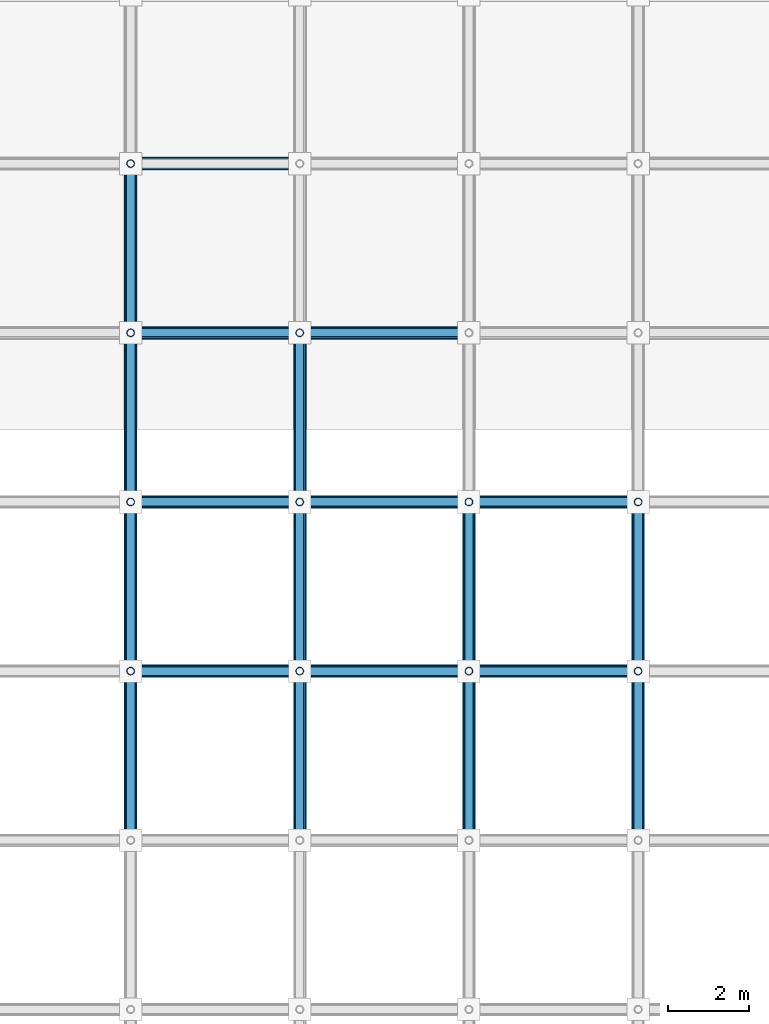
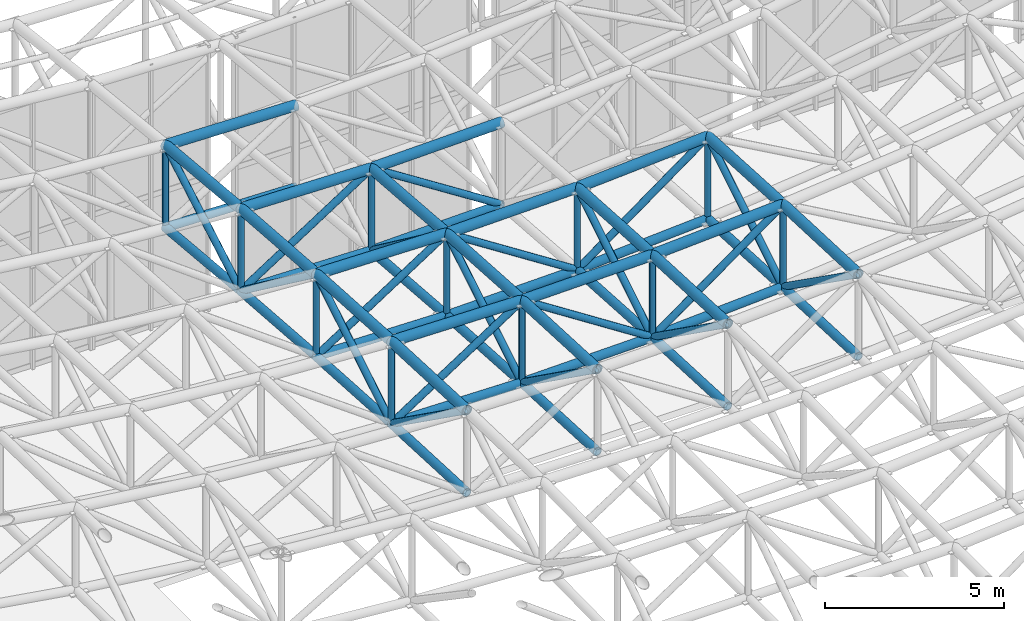
# One storey, part 34 of 93: 70 members.
"""IFC4 building model written with IfcOpenShell, lengths in metres."""

from ifc_helpers import new_model, si_unit, direction, frame, origin, origin_2d, place, context, subcontext, project, spatial, hollow_circle, extrude, material, material_profile, profile_set, type_object, element, save


model = new_model("IFC4")

# Units and contexts
model_context = context("Model", 3, precision=1e-05, world=origin(), true_north=direction((0.0, 1.0)))
body_context = subcontext(model_context, "Body", "Model", "MODEL_VIEW")
ifc_project = project(units=[si_unit("LENGTHUNIT", "METRE"), si_unit("AREAUNIT", "SQUARE_METRE"), si_unit("VOLUMEUNIT", "CUBIC_METRE"), si_unit("PLANEANGLEUNIT", "RADIAN"), si_unit("MASSUNIT", "GRAM", prefix="KILO")], contexts=[model_context])

# Site, building, storey
site_placement = place(None, origin())
site = spatial("IfcSite", under=ifc_project, at=site_placement, CompositionType="ELEMENT")
building_placement = place(site_placement, origin())
building = spatial("IfcBuilding", under=site, at=building_placement, Name="Cumbredor Promenade Congress Hotel", CompositionType="ELEMENT")
storey_placement = place(building_placement, frame((0.0, 0.0, 21.840087890625)))
storey = spatial("IfcBuildingStorey", under=building, at=storey_placement, Name="L06", CompositionType="ELEMENT", Elevation=21.840087890625)

# Members
ifc_material = material(Name="Steel ASTM A500 Grade C", Category="steel")
ifc_material_profile_1 = material_profile(ifc_material, hollow_circle(Radius=0.136474609375, WallThickness=0.01611328125, at=origin_2d()), Name="CHS 273.0x16")
ifc_profile_set_1 = profile_set([ifc_material_profile_1], Name="Steel ASTM A500 Grade C")
member_type_1 = type_object("IfcMemberType", Name="Plenary Roof Space Frame Bottom Chord", PredefinedType="CHORD", material=ifc_profile_set_1)
member_1_placement = place(storey_placement, frame((29.39990234375, 50.39990234375, 7.612548828125), z_axis=(0.999818306058, 0.0, -0.019061869588), x_axis=(0.0, 1.0, 0.0)))
element("IfcMember", 1, at=member_1_placement, inside=storey, type_object=member_type_1, Name="Plenary Congress Hall X Bottom Chord 9.13", PredefinedType="CHORD", context=body_context, shape_type="SweptSolid", body=[
    extrude(hollow_circle(Radius=0.136474609375, WallThickness=0.01611328125, at=origin_2d()), origin(), (0.0, 0.0, 1.0), 4.200927734375),
])
member_2_placement = place(storey_placement, frame((33.60009765625, 50.39990234375, 7.532470703125), z_axis=(0.999818284939, 0.0, 0.01906297724), x_axis=(0.0, 1.0, 0.0)))
element("IfcMember", 2, at=member_2_placement, inside=storey, type_object=member_type_1, Name="Plenary Congress Hall X Bottom Chord 10.13", PredefinedType="CHORD", context=body_context, shape_type="SweptSolid", body=[
    extrude(hollow_circle(Radius=0.136474609375, WallThickness=0.01611328125, at=origin_2d()), origin(), (0.0, 0.0, 1.0), 4.20068359375),
])
member_3_placement = place(storey_placement, frame((37.800048828125, 50.39990234375, 7.612548828125), z_axis=(0.998351536645, 0.0, 0.057395202566), x_axis=(0.0, 1.0, 0.0)))
element("IfcMember", 3, at=member_3_placement, inside=storey, type_object=member_type_1, Name="Plenary Congress Hall X Bottom Chord 11.13", PredefinedType="CHORD", context=body_context, shape_type="SweptSolid", body=[
    extrude(hollow_circle(Radius=0.136474609375, WallThickness=0.01611328125, at=origin_2d()), origin(), (0.0, 0.0, 1.0), 4.206787109375),
])
member_4_placement = place(storey_placement, frame((29.39990234375, 54.60009765625, 7.35498046875), z_axis=(0.999777474695, 0.0, -0.021095049018), x_axis=(0.0, 1.0, 0.0)))
element("IfcMember", 4, at=member_4_placement, inside=storey, type_object=member_type_1, Name="Plenary Congress Hall X Bottom Chord 9.14", PredefinedType="CHORD", context=body_context, shape_type="SweptSolid", body=[
    extrude(hollow_circle(Radius=0.136474609375, WallThickness=0.01611328125, at=origin_2d()), origin(), (0.0, 0.0, 1.0), 4.201171875),
])
member_5_placement = place(storey_placement, frame((33.60009765625, 54.60009765625, 7.266357421875), z_axis=(0.999777448832, 0.0, 0.021096274715), x_axis=(0.0, 1.0, 0.0)))
element("IfcMember", 5, at=member_5_placement, inside=storey, type_object=member_type_1, Name="Plenary Congress Hall X Bottom Chord 10.14", PredefinedType="CHORD", context=body_context, shape_type="SweptSolid", body=[
    extrude(hollow_circle(Radius=0.136474609375, WallThickness=0.01611328125, at=origin_2d()), origin(), (0.0, 0.0, 1.0), 4.200927734375),
])
member_6_placement = place(storey_placement, frame((37.800048828125, 54.60009765625, 7.35498046875), z_axis=(0.997998712994, 0.0, 0.063234238049), x_axis=(0.0, 1.0, 0.0)))
element("IfcMember", 6, at=member_6_placement, inside=storey, type_object=member_type_1, Name="Plenary Congress Hall X Bottom Chord 11.14", PredefinedType="CHORD", context=body_context, shape_type="SweptSolid", body=[
    extrude(hollow_circle(Radius=0.136474609375, WallThickness=0.01611328125, at=origin_2d()), origin(), (0.0, 0.0, 1.0), 4.208251953125),
])
member_7_placement = place(storey_placement, frame((29.39990234375, 58.800048828125, 7.03271484375), z_axis=(0.999723024905, 0.0, -0.023534516687), x_axis=(0.0, 1.0, 0.0)))
element("IfcMember", 7, at=member_7_placement, inside=storey, type_object=member_type_1, Name="Plenary Congress Hall X Bottom Chord 9.15", PredefinedType="CHORD", context=body_context, shape_type="SweptSolid", body=[
    extrude(hollow_circle(Radius=0.136474609375, WallThickness=0.01611328125, at=origin_2d()), origin(), (0.0, 0.0, 1.0), 4.201416015625),
])
member_8_placement = place(storey_placement, frame((33.60009765625, 58.800048828125, 6.933837890625), z_axis=(0.999722992716, 0.0, 0.023535883977), x_axis=(0.0, 1.0, 0.0)))
element("IfcMember", 8, at=member_8_placement, inside=storey, type_object=member_type_1, Name="Plenary Congress Hall X Bottom Chord 10.15", PredefinedType="CHORD", context=body_context, shape_type="SweptSolid", body=[
    extrude(hollow_circle(Radius=0.136474609375, WallThickness=0.01611328125, at=origin_2d()), origin(), (0.0, 0.0, 1.0), 4.201171875),
])
member_9_placement = place(storey_placement, frame((29.39990234375, 63.0, 6.64599609375), z_axis=(0.999650452522, 0.0, -0.026438093228), x_axis=(0.0, 1.0, 0.0)))
element("IfcMember", 9, at=member_9_placement, inside=storey, type_object=member_type_1, Name="Plenary Congress Hall X Bottom Chord 9.16", PredefinedType="CHORD", context=body_context, shape_type="SweptSolid", body=[
    extrude(hollow_circle(Radius=0.136474609375, WallThickness=0.01611328125, at=origin_2d()), origin(), (0.0, 0.0, 1.0), 4.20166015625),
])
member_10_placement = place(storey_placement, frame((29.39990234375, 46.199951171875, 7.80615234375), z_axis=(0.0, 0.998939241428, -0.046047713681), x_axis=(-1.0, 0.0, 0.0)))
element("IfcMember", 10, at=member_10_placement, inside=storey, type_object=member_type_1, Name="Plenary Congress Hall Y Bottom Chord 9.12", PredefinedType="CHORD", context=body_context, shape_type="SweptSolid", body=[
    extrude(hollow_circle(Radius=0.136474609375, WallThickness=0.01611328125, at=origin_2d()), origin(), (0.0, 0.0, 1.0), 4.204345703125),
])
member_11_placement = place(storey_placement, frame((29.39990234375, 50.39990234375, 7.612548828125), z_axis=(0.0, 0.998125034472, -0.061207969738), x_axis=(-1.0, 0.0, 0.0)))
element("IfcMember", 11, at=member_11_placement, inside=storey, type_object=member_type_1, Name="Plenary Congress Hall Y Bottom Chord 9.13", PredefinedType="CHORD", context=body_context, shape_type="SweptSolid", body=[
    extrude(hollow_circle(Radius=0.136474609375, WallThickness=0.01611328125, at=origin_2d()), origin(), (0.0, 0.0, 1.0), 4.2080078125),
])
member_12_placement = place(storey_placement, frame((29.39990234375, 54.60009765625, 7.35498046875), z_axis=(0.0, 0.997069127511, -0.076505914568), x_axis=(-1.0, 0.0, 0.0)))
element("IfcMember", 12, at=member_12_placement, inside=storey, type_object=member_type_1, Name="Plenary Congress Hall Y Bottom Chord 9.14", PredefinedType="CHORD", context=body_context, shape_type="SweptSolid", body=[
    extrude(hollow_circle(Radius=0.136474609375, WallThickness=0.01611328125, at=origin_2d()), origin(), (0.0, 0.0, 1.0), 4.21240234375),
])
member_13_placement = place(storey_placement, frame((29.39990234375, 58.800048828125, 7.03271484375), z_axis=(0.0, 0.99578768212, -0.091689105881), x_axis=(-1.0, 0.0, 0.0)))
element("IfcMember", 13, at=member_13_placement, inside=storey, type_object=member_type_1, Name="Plenary Congress Hall Y Bottom Chord 9.15", PredefinedType="CHORD", context=body_context, shape_type="SweptSolid", body=[
    extrude(hollow_circle(Radius=0.136474609375, WallThickness=0.01611328125, at=origin_2d()), origin(), (0.0, 0.0, 1.0), 4.2177734375),
])
member_14_placement = place(storey_placement, frame((33.60009765625, 46.199951171875, 7.73193359375), z_axis=(0.0, 0.998874172518, -0.047438249081), x_axis=(-1.0, 0.0, 0.0)))
element("IfcMember", 14, at=member_14_placement, inside=storey, type_object=member_type_1, Name="Plenary Congress Hall Y Bottom Chord 10.12", PredefinedType="CHORD", context=body_context, shape_type="SweptSolid", body=[
    extrude(hollow_circle(Radius=0.136474609375, WallThickness=0.01611328125, at=origin_2d()), origin(), (0.0, 0.0, 1.0), 4.20458984375),
])
member_15_placement = place(storey_placement, frame((33.60009765625, 50.39990234375, 7.532470703125), z_axis=(0.0, 0.997998944943, -0.063230577191), x_axis=(-1.0, 0.0, 0.0)))
element("IfcMember", 15, at=member_15_placement, inside=storey, type_object=member_type_1, Name="Plenary Congress Hall Y Bottom Chord 10.13", PredefinedType="CHORD", context=body_context, shape_type="SweptSolid", body=[
    extrude(hollow_circle(Radius=0.136474609375, WallThickness=0.01611328125, at=origin_2d()), origin(), (0.0, 0.0, 1.0), 4.20849609375),
])
member_16_placement = place(storey_placement, frame((33.60009765625, 54.60009765625, 7.266357421875), z_axis=(0.0, 0.996880535945, -0.078925262452), x_axis=(-1.0, 0.0, 0.0)))
element("IfcMember", 16, at=member_16_placement, inside=storey, type_object=member_type_1, Name="Plenary Congress Hall Y Bottom Chord 10.14", PredefinedType="CHORD", context=body_context, shape_type="SweptSolid", body=[
    extrude(hollow_circle(Radius=0.136474609375, WallThickness=0.01611328125, at=origin_2d()), origin(), (0.0, 0.0, 1.0), 4.213134765625),
])
member_17_placement = place(storey_placement, frame((37.800048828125, 46.199951171875, 7.80615234375), z_axis=(0.0, 0.998939241428, -0.046047713681), x_axis=(-1.0, 0.0, 0.0)))
element("IfcMember", 17, at=member_17_placement, inside=storey, type_object=member_type_1, Name="Plenary Congress Hall Y Bottom Chord 11.12", PredefinedType="CHORD", context=body_context, shape_type="SweptSolid", body=[
    extrude(hollow_circle(Radius=0.136474609375, WallThickness=0.01611328125, at=origin_2d()), origin(), (0.0, 0.0, 1.0), 4.204345703125),
])
member_18_placement = place(storey_placement, frame((37.800048828125, 50.39990234375, 7.612548828125), z_axis=(0.0, 0.998125034472, -0.061207969738), x_axis=(-1.0, 0.0, 0.0)))
element("IfcMember", 18, at=member_18_placement, inside=storey, type_object=member_type_1, Name="Plenary Congress Hall Y Bottom Chord 11.13", PredefinedType="CHORD", context=body_context, shape_type="SweptSolid", body=[
    extrude(hollow_circle(Radius=0.136474609375, WallThickness=0.01611328125, at=origin_2d()), origin(), (0.0, 0.0, 1.0), 4.2080078125),
])
member_19_placement = place(storey_placement, frame((42.0, 46.199951171875, 8.02880859375), z_axis=(0.0, 0.999134984522, -0.041584645057), x_axis=(-1.0, 0.0, 0.0)))
element("IfcMember", 19, at=member_19_placement, inside=storey, type_object=member_type_1, Name="Plenary Congress Hall Y Bottom Chord 12.12", PredefinedType="CHORD", context=body_context, shape_type="SweptSolid", body=[
    extrude(hollow_circle(Radius=0.136474609375, WallThickness=0.01611328125, at=origin_2d()), origin(), (0.0, 0.0, 1.0), 4.20361328125),
])
member_20_placement = place(storey_placement, frame((42.0, 50.39990234375, 7.85400390625), z_axis=(0.0, 0.998466062305, -0.055367160163), x_axis=(-1.0, 0.0, 0.0)))
element("IfcMember", 20, at=member_20_placement, inside=storey, type_object=member_type_1, Name="Plenary Congress Hall Y Bottom Chord 12.13", PredefinedType="CHORD", context=body_context, shape_type="SweptSolid", body=[
    extrude(hollow_circle(Radius=0.136474609375, WallThickness=0.01611328125, at=origin_2d()), origin(), (0.0, 0.0, 1.0), 4.20654296875),
])
ifc_material_profile_2 = material_profile(ifc_material, hollow_circle(Radius=0.161865234375, WallThickness=0.01611328125, at=origin_2d()), Name="CHS 323.9x16")
ifc_profile_set_2 = profile_set([ifc_material_profile_2], Name="Steel ASTM A500 Grade C")
member_type_2 = type_object("IfcMemberType", Name="Plenary Roof Space Frame Top Chord", PredefinedType="CHORD", material=ifc_profile_set_2)
member_21_placement = place(storey_placement, frame((29.39990234375, 50.39990234375, 10.41259765625), z_axis=(0.999818306058, 0.0, -0.019061869588), x_axis=(0.0, 1.0, 0.0)))
element("IfcMember", 21, at=member_21_placement, inside=storey, type_object=member_type_2, Name="Plenary Congress Hall X Top Chord 9.13", PredefinedType="CHORD", context=body_context, shape_type="SweptSolid", body=[
    extrude(hollow_circle(Radius=0.161865234375, WallThickness=0.01611328125, at=origin_2d()), origin(), (0.0, 0.0, 1.0), 4.200927734375),
])
member_22_placement = place(storey_placement, frame((33.60009765625, 50.39990234375, 10.33251953125), z_axis=(0.999818284939, 0.0, 0.01906297724), x_axis=(0.0, 1.0, 0.0)))
element("IfcMember", 22, at=member_22_placement, inside=storey, type_object=member_type_2, Name="Plenary Congress Hall X Top Chord 10.13", PredefinedType="CHORD", context=body_context, shape_type="SweptSolid", body=[
    extrude(hollow_circle(Radius=0.161865234375, WallThickness=0.01611328125, at=origin_2d()), origin(), (0.0, 0.0, 1.0), 4.20068359375),
])
member_23_placement = place(storey_placement, frame((37.800048828125, 50.39990234375, 10.41259765625), z_axis=(0.998351536645, 0.0, 0.057395202566), x_axis=(0.0, 1.0, 0.0)))
element("IfcMember", 23, at=member_23_placement, inside=storey, type_object=member_type_2, Name="Plenary Congress Hall X Top Chord 11.13", PredefinedType="CHORD", context=body_context, shape_type="SweptSolid", body=[
    extrude(hollow_circle(Radius=0.161865234375, WallThickness=0.01611328125, at=origin_2d()), origin(), (0.0, 0.0, 1.0), 4.206787109375),
])
member_24_placement = place(storey_placement, frame((29.39990234375, 54.60009765625, 10.155029296875), z_axis=(0.999777474695, 0.0, -0.021095049018), x_axis=(0.0, 1.0, 0.0)))
element("IfcMember", 24, at=member_24_placement, inside=storey, type_object=member_type_2, Name="Plenary Congress Hall X Top Chord 9.14", PredefinedType="CHORD", context=body_context, shape_type="SweptSolid", body=[
    extrude(hollow_circle(Radius=0.161865234375, WallThickness=0.01611328125, at=origin_2d()), origin(), (0.0, 0.0, 1.0), 4.201171875),
])
member_25_placement = place(storey_placement, frame((33.60009765625, 54.60009765625, 10.06640625), z_axis=(0.999777448832, 0.0, 0.021096274715), x_axis=(0.0, 1.0, 0.0)))
element("IfcMember", 25, at=member_25_placement, inside=storey, type_object=member_type_2, Name="Plenary Congress Hall X Top Chord 10.14", PredefinedType="CHORD", context=body_context, shape_type="SweptSolid", body=[
    extrude(hollow_circle(Radius=0.161865234375, WallThickness=0.01611328125, at=origin_2d()), origin(), (0.0, 0.0, 1.0), 4.200927734375),
])
member_26_placement = place(storey_placement, frame((37.800048828125, 54.60009765625, 10.155029296875), z_axis=(0.997998712994, 0.0, 0.063234238049), x_axis=(0.0, 1.0, 0.0)))
element("IfcMember", 26, at=member_26_placement, inside=storey, type_object=member_type_2, Name="Plenary Congress Hall X Top Chord 11.14", PredefinedType="CHORD", context=body_context, shape_type="SweptSolid", body=[
    extrude(hollow_circle(Radius=0.161865234375, WallThickness=0.01611328125, at=origin_2d()), origin(), (0.0, 0.0, 1.0), 4.208251953125),
])
member_27_placement = place(storey_placement, frame((29.39990234375, 58.800048828125, 9.832763671875), z_axis=(0.999723024905, 0.0, -0.023534516687), x_axis=(0.0, 1.0, 0.0)))
element("IfcMember", 27, at=member_27_placement, inside=storey, type_object=member_type_2, Name="Plenary Congress Hall X Top Chord 9.15", PredefinedType="CHORD", context=body_context, shape_type="SweptSolid", body=[
    extrude(hollow_circle(Radius=0.161865234375, WallThickness=0.01611328125, at=origin_2d()), origin(), (0.0, 0.0, 1.0), 4.201416015625),
])
member_28_placement = place(storey_placement, frame((33.60009765625, 58.800048828125, 9.73388671875), z_axis=(0.999722992716, 0.0, 0.023535883977), x_axis=(0.0, 1.0, 0.0)))
element("IfcMember", 28, at=member_28_placement, inside=storey, type_object=member_type_2, Name="Plenary Congress Hall X Top Chord 10.15", PredefinedType="CHORD", context=body_context, shape_type="SweptSolid", body=[
    extrude(hollow_circle(Radius=0.161865234375, WallThickness=0.01611328125, at=origin_2d()), origin(), (0.0, 0.0, 1.0), 4.201171875),
])
member_29_placement = place(storey_placement, frame((29.39990234375, 63.0, 9.446044921875), z_axis=(0.999648915171, 0.0, -0.026496158179), x_axis=(0.0, 1.0, 0.0)))
element("IfcMember", 29, at=member_29_placement, inside=storey, type_object=member_type_2, Name="Plenary Congress Hall X Top Chord 9.16", PredefinedType="CHORD", context=body_context, shape_type="SweptSolid", body=[
    extrude(hollow_circle(Radius=0.161865234375, WallThickness=0.01611328125, at=origin_2d()), origin(), (0.0, 0.0, 1.0), 4.20166015625),
])
member_30_placement = place(storey_placement, frame((29.39990234375, 46.199951171875, 10.606201171875), z_axis=(0.0, 0.998939241428, -0.046047713681), x_axis=(-1.0, 0.0, 0.0)))
element("IfcMember", 30, at=member_30_placement, inside=storey, type_object=member_type_2, Name="Plenary Congress Hall Y Top Chord 9.12", PredefinedType="CHORD", context=body_context, shape_type="SweptSolid", body=[
    extrude(hollow_circle(Radius=0.161865234375, WallThickness=0.01611328125, at=origin_2d()), origin(), (0.0, 0.0, 1.0), 4.204345703125),
])
member_31_placement = place(storey_placement, frame((29.39990234375, 50.39990234375, 10.41259765625), z_axis=(0.0, 0.998125034472, -0.061207969738), x_axis=(-1.0, 0.0, 0.0)))
element("IfcMember", 31, at=member_31_placement, inside=storey, type_object=member_type_2, Name="Plenary Congress Hall Y Top Chord 9.13", PredefinedType="CHORD", context=body_context, shape_type="SweptSolid", body=[
    extrude(hollow_circle(Radius=0.161865234375, WallThickness=0.01611328125, at=origin_2d()), origin(), (0.0, 0.0, 1.0), 4.2080078125),
])
member_32_placement = place(storey_placement, frame((29.39990234375, 54.60009765625, 10.155029296875), z_axis=(0.0, 0.997069127511, -0.076505914568), x_axis=(-1.0, 0.0, 0.0)))
element("IfcMember", 32, at=member_32_placement, inside=storey, type_object=member_type_2, Name="Plenary Congress Hall Y Top Chord 9.14", PredefinedType="CHORD", context=body_context, shape_type="SweptSolid", body=[
    extrude(hollow_circle(Radius=0.161865234375, WallThickness=0.01611328125, at=origin_2d()), origin(), (0.0, 0.0, 1.0), 4.21240234375),
])
member_33_placement = place(storey_placement, frame((29.39990234375, 58.800048828125, 9.832763671875), z_axis=(0.0, 0.99578768212, -0.091689105881), x_axis=(-1.0, 0.0, 0.0)))
element("IfcMember", 33, at=member_33_placement, inside=storey, type_object=member_type_2, Name="Plenary Congress Hall Y Top Chord 9.15", PredefinedType="CHORD", context=body_context, shape_type="SweptSolid", body=[
    extrude(hollow_circle(Radius=0.161865234375, WallThickness=0.01611328125, at=origin_2d()), origin(), (0.0, 0.0, 1.0), 4.2177734375),
])
member_34_placement = place(storey_placement, frame((33.60009765625, 46.199951171875, 10.531982421875), z_axis=(0.0, 0.998874172518, -0.047438249081), x_axis=(-1.0, 0.0, 0.0)))
element("IfcMember", 34, at=member_34_placement, inside=storey, type_object=member_type_2, Name="Plenary Congress Hall Y Top Chord 10.12", PredefinedType="CHORD", context=body_context, shape_type="SweptSolid", body=[
    extrude(hollow_circle(Radius=0.161865234375, WallThickness=0.01611328125, at=origin_2d()), origin(), (0.0, 0.0, 1.0), 4.20458984375),
])
member_35_placement = place(storey_placement, frame((33.60009765625, 50.39990234375, 10.33251953125), z_axis=(0.0, 0.997998944943, -0.063230577191), x_axis=(-1.0, 0.0, 0.0)))
element("IfcMember", 35, at=member_35_placement, inside=storey, type_object=member_type_2, Name="Plenary Congress Hall Y Top Chord 10.13", PredefinedType="CHORD", context=body_context, shape_type="SweptSolid", body=[
    extrude(hollow_circle(Radius=0.161865234375, WallThickness=0.01611328125, at=origin_2d()), origin(), (0.0, 0.0, 1.0), 4.20849609375),
])
member_36_placement = place(storey_placement, frame((33.60009765625, 54.60009765625, 10.06640625), z_axis=(0.0, 0.996880535945, -0.078925262452), x_axis=(-1.0, 0.0, 0.0)))
element("IfcMember", 36, at=member_36_placement, inside=storey, type_object=member_type_2, Name="Plenary Congress Hall Y Top Chord 10.14", PredefinedType="CHORD", context=body_context, shape_type="SweptSolid", body=[
    extrude(hollow_circle(Radius=0.161865234375, WallThickness=0.01611328125, at=origin_2d()), origin(), (0.0, 0.0, 1.0), 4.213134765625),
])
member_37_placement = place(storey_placement, frame((37.800048828125, 46.199951171875, 10.606201171875), z_axis=(0.0, 0.998939241428, -0.046047713681), x_axis=(-1.0, 0.0, 0.0)))
element("IfcMember", 37, at=member_37_placement, inside=storey, type_object=member_type_2, Name="Plenary Congress Hall Y Top Chord 11.12", PredefinedType="CHORD", context=body_context, shape_type="SweptSolid", body=[
    extrude(hollow_circle(Radius=0.161865234375, WallThickness=0.01611328125, at=origin_2d()), origin(), (0.0, 0.0, 1.0), 4.204345703125),
])
member_38_placement = place(storey_placement, frame((37.800048828125, 50.39990234375, 10.41259765625), z_axis=(0.0, 0.998125034472, -0.061207969738), x_axis=(-1.0, 0.0, 0.0)))
element("IfcMember", 38, at=member_38_placement, inside=storey, type_object=member_type_2, Name="Plenary Congress Hall Y Top Chord 11.13", PredefinedType="CHORD", context=body_context, shape_type="SweptSolid", body=[
    extrude(hollow_circle(Radius=0.161865234375, WallThickness=0.01611328125, at=origin_2d()), origin(), (0.0, 0.0, 1.0), 4.2080078125),
])
member_39_placement = place(storey_placement, frame((42.0, 46.199951171875, 10.82861328125), z_axis=(0.0, 0.999137395956, -0.041526666169), x_axis=(-1.0, 0.0, 0.0)))
element("IfcMember", 39, at=member_39_placement, inside=storey, type_object=member_type_2, Name="Plenary Congress Hall Y Top Chord 12.12", PredefinedType="CHORD", context=body_context, shape_type="SweptSolid", body=[
    extrude(hollow_circle(Radius=0.161865234375, WallThickness=0.01611328125, at=origin_2d()), origin(), (0.0, 0.0, 1.0), 4.20361328125),
])
member_40_placement = place(storey_placement, frame((42.0, 50.39990234375, 10.654052734375), z_axis=(0.0, 0.998466062305, -0.055367160163), x_axis=(-1.0, 0.0, 0.0)))
element("IfcMember", 40, at=member_40_placement, inside=storey, type_object=member_type_2, Name="Plenary Congress Hall Y Top Chord 12.13", PredefinedType="CHORD", context=body_context, shape_type="SweptSolid", body=[
    extrude(hollow_circle(Radius=0.161865234375, WallThickness=0.01611328125, at=origin_2d()), origin(), (0.0, 0.0, 1.0), 4.20654296875),
])
ifc_material_profile_3 = material_profile(ifc_material, hollow_circle(Radius=0.109619140625, WallThickness=0.012451171875, at=origin_2d()), Name="CHS 219.1x12.5")
ifc_profile_set_3 = profile_set([ifc_material_profile_3], Name="Steel ASTM A500 Grade C")
member_type_3 = type_object("IfcMemberType", Name="Space Frame Web Diagonal D1", PredefinedType="BRACE", material=ifc_profile_set_3)
member_41_placement = place(storey_placement, frame((29.39990234375, 50.39990234375, 7.612548828125), z_axis=(0.839369826281, 0.0, 0.543560755324), x_axis=(0.0, 1.0, 0.0)))
element("IfcMember", 41, at=member_41_placement, inside=storey, type_object=member_type_3, Name="Plenary Congress Hall X Web Diagonal 9.13", PredefinedType="BRACE", context=body_context, shape_type="SweptSolid", body=[
    extrude(hollow_circle(Radius=0.109619140625, WallThickness=0.012451171875, at=origin_2d()), origin(), (0.0, 0.0, 1.0), 5.00390625),
])
member_42_placement = place(storey_placement, frame((33.60009765625, 50.39990234375, 10.33251953125), z_axis=(0.839355410214, 0.0, -0.543583016055), x_axis=(0.0, 1.0, 0.0)))
element("IfcMember", 42, at=member_42_placement, inside=storey, type_object=member_type_3, Name="Plenary Congress Hall X Web Diagonal 10.13", PredefinedType="BRACE", context=body_context, shape_type="SweptSolid", body=[
    extrude(hollow_circle(Radius=0.109619140625, WallThickness=0.012451171875, at=origin_2d()), origin(), (0.0, 0.0, 1.0), 5.003662109375),
])
member_43_placement = place(storey_placement, frame((37.800048828125, 50.39990234375, 7.612548828125), z_axis=(0.809927468281, 0.0, 0.586530047076), x_axis=(0.0, 1.0, 0.0)))
element("IfcMember", 43, at=member_43_placement, inside=storey, type_object=member_type_3, Name="Plenary Congress Hall X Web Diagonal 11.13", PredefinedType="BRACE", context=body_context, shape_type="SweptSolid", body=[
    extrude(hollow_circle(Radius=0.109619140625, WallThickness=0.012451171875, at=origin_2d()), origin(), (0.0, 0.0, 1.0), 5.185546875),
])
member_44_placement = place(storey_placement, frame((29.39990234375, 54.60009765625, 7.35498046875), z_axis=(0.840148785865, 0.0, 0.542355987899), x_axis=(0.0, 1.0, 0.0)))
element("IfcMember", 44, at=member_44_placement, inside=storey, type_object=member_type_3, Name="Plenary Congress Hall X Web Diagonal 9.14", PredefinedType="BRACE", context=body_context, shape_type="SweptSolid", body=[
    extrude(hollow_circle(Radius=0.109619140625, WallThickness=0.012451171875, at=origin_2d()), origin(), (0.0, 0.0, 1.0), 4.999267578125),
])
member_45_placement = place(storey_placement, frame((33.60009765625, 54.60009765625, 10.06640625), z_axis=(0.840134420311, 0.0, -0.542378240538), x_axis=(0.0, 1.0, 0.0)))
element("IfcMember", 45, at=member_45_placement, inside=storey, type_object=member_type_3, Name="Plenary Congress Hall X Web Diagonal 10.14", PredefinedType="BRACE", context=body_context, shape_type="SweptSolid", body=[
    extrude(hollow_circle(Radius=0.109619140625, WallThickness=0.012451171875, at=origin_2d()), origin(), (0.0, 0.0, 1.0), 4.9990234375),
])
member_46_placement = place(storey_placement, frame((37.800048828125, 54.60009765625, 7.35498046875), z_axis=(0.807668880256, 0.0, 0.589636311523), x_axis=(0.0, 1.0, 0.0)))
element("IfcMember", 46, at=member_46_placement, inside=storey, type_object=member_type_3, Name="Plenary Congress Hall X Web Diagonal 11.14", PredefinedType="BRACE", context=body_context, shape_type="SweptSolid", body=[
    extrude(hollow_circle(Radius=0.109619140625, WallThickness=0.012451171875, at=origin_2d()), origin(), (0.0, 0.0, 1.0), 5.2001953125),
])
member_47_placement = place(storey_placement, frame((29.39990234375, 58.800048828125, 7.03271484375), z_axis=(0.841083155599, 0.0, 0.540905837802), x_axis=(0.0, 1.0, 0.0)))
element("IfcMember", 47, at=member_47_placement, inside=storey, type_object=member_type_3, Name="Plenary Congress Hall X Web Diagonal 9.15", PredefinedType="BRACE", context=body_context, shape_type="SweptSolid", body=[
    extrude(hollow_circle(Radius=0.109619140625, WallThickness=0.012451171875, at=origin_2d()), origin(), (0.0, 0.0, 1.0), 4.993896484375),
])
member_48_placement = place(storey_placement, frame((33.60009765625, 58.800048828125, 9.73388671875), z_axis=(0.84106885087, 0.0, -0.540928080336), x_axis=(0.0, 1.0, 0.0)))
element("IfcMember", 48, at=member_48_placement, inside=storey, type_object=member_type_3, Name="Plenary Congress Hall X Web Diagonal 10.15", PredefinedType="BRACE", context=body_context, shape_type="SweptSolid", body=[
    extrude(hollow_circle(Radius=0.109619140625, WallThickness=0.012451171875, at=origin_2d()), origin(), (0.0, 0.0, 1.0), 4.99365234375),
])
member_49_placement = place(storey_placement, frame((29.39990234375, 46.199951171875, 10.606201171875), z_axis=(0.0, 0.814311967524, -0.580427445549), x_axis=(-1.0, 0.0, 0.0)))
element("IfcMember", 49, at=member_49_placement, inside=storey, type_object=member_type_3, Name="Plenary Congress Hall Y Web Diagonal 9.12", PredefinedType="BRACE", context=body_context, shape_type="SweptSolid", body=[
    extrude(hollow_circle(Radius=0.109619140625, WallThickness=0.012451171875, at=origin_2d()), origin(), (0.0, 0.0, 1.0), 5.15771484375),
])
member_50_placement = place(storey_placement, frame((29.39990234375, 50.39990234375, 7.612548828125), z_axis=(0.0, 0.855476891426, 0.517840987405), x_axis=(-1.0, 0.0, 0.0)))
element("IfcMember", 50, at=member_50_placement, inside=storey, type_object=member_type_3, Name="Plenary Congress Hall Y Web Diagonal 9.13", PredefinedType="BRACE", context=body_context, shape_type="SweptSolid", body=[
    extrude(hollow_circle(Radius=0.109619140625, WallThickness=0.012451171875, at=origin_2d()), origin(), (0.0, 0.0, 1.0), 4.90966796875),
])
member_51_placement = place(storey_placement, frame((29.39990234375, 54.60009765625, 10.155029296875), z_axis=(0.0, 0.802528776415, -0.596613411705), x_axis=(-1.0, 0.0, 0.0)))
element("IfcMember", 51, at=member_51_placement, inside=storey, type_object=member_type_3, Name="Plenary Congress Hall Y Web Diagonal 9.14", PredefinedType="BRACE", context=body_context, shape_type="SweptSolid", body=[
    extrude(hollow_circle(Radius=0.109619140625, WallThickness=0.012451171875, at=origin_2d()), origin(), (0.0, 0.0, 1.0), 5.2333984375),
])
member_52_placement = place(storey_placement, frame((29.39990234375, 58.800048828125, 7.03271484375), z_axis=(0.0, 0.867052734654, 0.498216374008), x_axis=(-1.0, 0.0, 0.0)))
element("IfcMember", 52, at=member_52_placement, inside=storey, type_object=member_type_3, Name="Plenary Congress Hall Y Web Diagonal 9.15", PredefinedType="BRACE", context=body_context, shape_type="SweptSolid", body=[
    extrude(hollow_circle(Radius=0.109619140625, WallThickness=0.012451171875, at=origin_2d()), origin(), (0.0, 0.0, 1.0), 4.843994140625),
])
member_53_placement = place(storey_placement, frame((33.60009765625, 46.199951171875, 10.531982421875), z_axis=(0.0, 0.813775020158, -0.581180020791), x_axis=(-1.0, 0.0, 0.0)))
element("IfcMember", 53, at=member_53_placement, inside=storey, type_object=member_type_3, Name="Plenary Congress Hall Y Web Diagonal 10.12", PredefinedType="BRACE", context=body_context, shape_type="SweptSolid", body=[
    extrude(hollow_circle(Radius=0.109619140625, WallThickness=0.012451171875, at=origin_2d()), origin(), (0.0, 0.0, 1.0), 5.1611328125),
])
member_54_placement = place(storey_placement, frame((33.60009765625, 50.39990234375, 7.532470703125), z_axis=(0.0, 0.856247631231, 0.516565575712), x_axis=(-1.0, 0.0, 0.0)))
element("IfcMember", 54, at=member_54_placement, inside=storey, type_object=member_type_3, Name="Plenary Congress Hall Y Web Diagonal 10.13", PredefinedType="BRACE", context=body_context, shape_type="SweptSolid", body=[
    extrude(hollow_circle(Radius=0.109619140625, WallThickness=0.012451171875, at=origin_2d()), origin(), (0.0, 0.0, 1.0), 4.9052734375),
])
member_55_placement = place(storey_placement, frame((33.60009765625, 54.60009765625, 10.06640625), z_axis=(0.0, 0.801590761071, -0.597873106743), x_axis=(-1.0, 0.0, 0.0)))
element("IfcMember", 55, at=member_55_placement, inside=storey, type_object=member_type_3, Name="Plenary Congress Hall Y Web Diagonal 10.14", PredefinedType="BRACE", context=body_context, shape_type="SweptSolid", body=[
    extrude(hollow_circle(Radius=0.109619140625, WallThickness=0.012451171875, at=origin_2d()), origin(), (0.0, 0.0, 1.0), 5.239501953125),
])
member_56_placement = place(storey_placement, frame((37.800048828125, 46.199951171875, 10.606201171875), z_axis=(0.0, 0.814311967524, -0.580427445549), x_axis=(-1.0, 0.0, 0.0)))
element("IfcMember", 56, at=member_56_placement, inside=storey, type_object=member_type_3, Name="Plenary Congress Hall Y Web Diagonal 11.12", PredefinedType="BRACE", context=body_context, shape_type="SweptSolid", body=[
    extrude(hollow_circle(Radius=0.109619140625, WallThickness=0.012451171875, at=origin_2d()), origin(), (0.0, 0.0, 1.0), 5.15771484375),
])
member_57_placement = place(storey_placement, frame((37.800048828125, 50.39990234375, 7.612548828125), z_axis=(0.0, 0.855476891426, 0.517840987405), x_axis=(-1.0, 0.0, 0.0)))
element("IfcMember", 57, at=member_57_placement, inside=storey, type_object=member_type_3, Name="Plenary Congress Hall Y Web Diagonal 11.13", PredefinedType="BRACE", context=body_context, shape_type="SweptSolid", body=[
    extrude(hollow_circle(Radius=0.109619140625, WallThickness=0.012451171875, at=origin_2d()), origin(), (0.0, 0.0, 1.0), 4.90966796875),
])
member_58_placement = place(storey_placement, frame((42.0, 46.199951171875, 10.82861328125), z_axis=(0.0, 0.816057109813, -0.577971273961), x_axis=(-1.0, 0.0, 0.0)))
element("IfcMember", 58, at=member_58_placement, inside=storey, type_object=member_type_3, Name="Plenary Congress Hall Y Web Diagonal 12.12", PredefinedType="BRACE", context=body_context, shape_type="SweptSolid", body=[
    extrude(hollow_circle(Radius=0.109619140625, WallThickness=0.012451171875, at=origin_2d()), origin(), (0.0, 0.0, 1.0), 5.146728515625),
])
member_59_placement = place(storey_placement, frame((42.0, 50.39990234375, 7.85400390625), z_axis=(0.0, 0.853249956862, 0.521502167891), x_axis=(-1.0, 0.0, 0.0)))
element("IfcMember", 59, at=member_59_placement, inside=storey, type_object=member_type_3, Name="Plenary Congress Hall Y Web Diagonal 12.13", PredefinedType="BRACE", context=body_context, shape_type="SweptSolid", body=[
    extrude(hollow_circle(Radius=0.109619140625, WallThickness=0.012451171875, at=origin_2d()), origin(), (0.0, 0.0, 1.0), 4.922607421875),
])
ifc_material_profile_4 = material_profile(ifc_material, hollow_circle(Radius=0.096923828125, WallThickness=0.010009765625, at=origin_2d()), Name="CHS 193.7x10")
ifc_profile_set_4 = profile_set([ifc_material_profile_4], Name="Steel ASTM A500 Grade C")
member_type_4 = type_object("IfcMemberType", Name="Space Frame Web Post P1", PredefinedType="BRACE", material=ifc_profile_set_4)
for number, where, z_axis, x_axis, name in (
    (60, (29.39990234375, 50.39990234375, 7.612548828125), (0.0, 0.0, 1.0), (1.0, 0.0, 0.0), "Plenary Congress Hall Space Frame Web Post 9.13"),
    (61, (29.39990234375, 54.60009765625, 7.35498046875), (0.0, 0.0, 1.0), (1.0, 0.0, 0.0), "Plenary Congress Hall Space Frame Web Post 9.14"),
    (62, (29.39990234375, 58.800048828125, 7.03271484375), (0.0, 0.0, 1.0), (1.0, 0.0, 0.0), "Plenary Congress Hall Space Frame Web Post 9.15"),
    (63, (29.39990234375, 63.0, 6.64599609375), (0.0, 0.0, 1.0), (1.0, 0.0, 0.0), "Plenary Congress Hall Space Frame Web Post 9.16"),
    (64, (33.60009765625, 50.39990234375, 7.532470703125), (0.0, 0.0, 1.0), (1.0, 0.0, 0.0), "Plenary Congress Hall Space Frame Web Post 10.13"),
    (65, (33.60009765625, 54.60009765625, 7.266357421875), (0.0, 0.0, 1.0), (1.0, 0.0, 0.0), "Plenary Congress Hall Space Frame Web Post 10.14"),
    (66, (33.60009765625, 58.800048828125, 6.933837890625), (0.0, 0.0, 1.0), (1.0, 0.0, 0.0), "Plenary Congress Hall Space Frame Web Post 10.15"),
    (67, (37.800048828125, 50.39990234375, 7.612548828125), (0.0, 0.0, 1.0), (1.0, 0.0, 0.0), "Plenary Congress Hall Space Frame Web Post 11.13"),
    (68, (37.800048828125, 54.60009765625, 7.35498046875), (0.0, 0.0, 1.0), (1.0, 0.0, 0.0), "Plenary Congress Hall Space Frame Web Post 11.14"),
    (69, (42.0, 50.39990234375, 7.85400390625), (0.0, 0.0, 1.0), (1.0, 0.0, 0.0), "Plenary Congress Hall Space Frame Web Post 12.13"),
    (70, (42.0, 54.60009765625, 7.62109375), (0.0, 0.0, 1.0), (1.0, 0.0, 0.0), "Plenary Congress Hall Space Frame Web Post 12.14"),
):
    element("IfcMember", number, at=place(storey_placement, frame(where, z_axis=z_axis, x_axis=x_axis)), inside=storey, type_object=member_type_4, Name=name, PredefinedType="BRACE", context=body_context, shape_type="SweptSolid", body=[
        extrude(hollow_circle(Radius=0.096923828125, WallThickness=0.010009765625, at=origin_2d()), origin(), (0.0, 0.0, 1.0), 2.800048828125),
    ])

save(model, "model.ifc")
